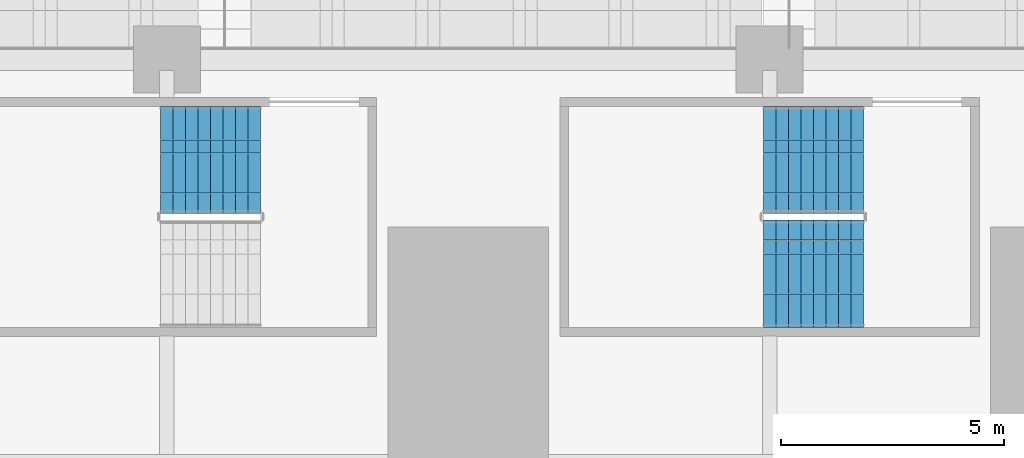
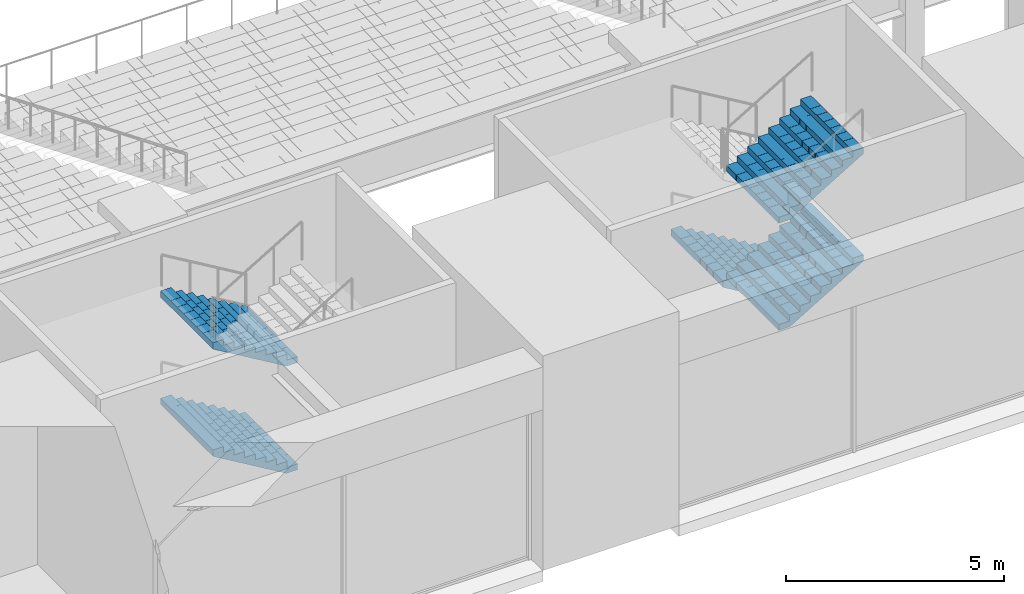
# One storey, part 37 of 61: 5 stair flights, 2 elements without a shape of their own.
"""IFC4 building model written with IfcOpenShell, lengths in metres."""

from ifc_helpers import new_model, si_unit, direction, frame, origin, place, context, subcontext, project, spatial, polyline, outline, extrude, material, type_object, element, aggregate, save


model = new_model("IFC4")

# Units and contexts
model_context = context("Model", 3, precision=1e-05, world=origin(), true_north=direction((0.0, 1.0)))
body_context = subcontext(model_context, "Body", "Model", "MODEL_VIEW")
ifc_project = project(units=[si_unit("LENGTHUNIT", "METRE"), si_unit("AREAUNIT", "SQUARE_METRE"), si_unit("VOLUMEUNIT", "CUBIC_METRE"), si_unit("PLANEANGLEUNIT", "RADIAN"), si_unit("MASSUNIT", "GRAM", prefix="KILO")], contexts=[model_context])

# Site, building, storey
site_placement = place(None, origin())
site = spatial("IfcSite", under=ifc_project, at=site_placement, CompositionType="ELEMENT")
building_placement = place(site_placement, origin())
building = spatial("IfcBuilding", under=site, at=building_placement, Name="Corbelhall Arena Tower", CompositionType="ELEMENT")
storey_placement = place(building_placement, frame((0.0, 0.0, 31.0)))
storey = spatial("IfcBuildingStorey", under=building, at=storey_placement, Name="L04", CompositionType="ELEMENT", Elevation=31.0)

# Stair, stair flights
ifc_material = material(Name="Reinforced concrete C40/50", Category="concrete")
stair_type = type_object("IfcStairType", Name="AR-EXIT-STAIR", PredefinedType="HALF_TURN_STAIR", material=ifc_material)
stair_1_placement = place(storey_placement, origin())
stair_1 = element("IfcStair", 1, at=stair_1_placement, inside=storey, type_object=stair_type, Name="L04 exit stair AS13", PredefinedType="HALF_TURN_STAIR")
stair_flight_type = type_object("IfcStairFlightType", Name="AR-EXIT-FLIGHT", PredefinedType="STRAIGHT", material=ifc_material)
stair_flight_1_placement = place(storey_placement, frame((-18.14990234375, -31.5, 0.0), z_axis=(0.0, 0.0, 1.0), x_axis=(-1.0, 0.0, 0.0)))
stair_flight_1 = element("IfcStairFlight", 2, at=stair_flight_1_placement, type_object=stair_flight_type, Name="AS13 flight 1", NumberOfRisers=9, NumberOfTreads=8, PredefinedType="STRAIGHT", RiserHeight=0.166666667, TreadLength=0.28, context=body_context, shape_type="SweptSolid", body=[
    extrude(outline(polyline([(0.0, 0.0), (0.0, 0.166748046875), (0.280029296875, 0.166748046875), (0.280029296875, 0.333251953125), (0.56005859375, 0.333251953125), (0.56005859375, 0.5), (0.840087890625, 0.5), (0.840087890625, 0.666748046875), (1.1201171875, 0.666748046875), (1.1201171875, 0.833251953125), (1.39990234375, 0.833251953125), (1.39990234375, 1.0), (1.679931640625, 1.0), (1.679931640625, 1.166748046875), (1.9599609375, 1.166748046875), (1.9599609375, 1.333251953125), (2.239990234375, 1.333251953125), (2.239990234375, 1.5), (2.239990234375, 1.158935546875), (0.29296875, 0.0), (0.0, 0.0)])), frame((0.0, 1.199951171875, 0.0), z_axis=(0.0, -1.0, 0.0), x_axis=(1.0, 0.0, 0.0)), (0.0, 0.0, 1.0), 0.449951171875),
    extrude(outline(polyline([(0.0, 0.0), (0.0, 0.166748046875), (0.280029296875, 0.166748046875), (0.280029296875, 0.333251953125), (0.56005859375, 0.333251953125), (0.56005859375, 0.5), (0.840087890625, 0.5), (0.840087890625, 0.666748046875), (1.1201171875, 0.666748046875), (1.1201171875, 0.833251953125), (1.39990234375, 0.833251953125), (1.39990234375, 1.0), (1.679931640625, 1.0), (1.679931640625, 1.166748046875), (1.9599609375, 1.166748046875), (1.9599609375, 1.333251953125), (2.239990234375, 1.333251953125), (2.239990234375, 1.5), (2.239990234375, 1.158935546875), (0.29296875, 0.0), (0.0, 0.0)])), frame((0.0, 0.745849609375, 0.0), z_axis=(0.0, -1.0, 0.0), x_axis=(1.0, 0.0, 0.0)), (0.0, 0.0, 1.0), 0.295166015625),
    extrude(outline(polyline([(0.0, 0.0), (0.0, 0.166748046875), (0.280029296875, 0.166748046875), (0.280029296875, 0.333251953125), (0.56005859375, 0.333251953125), (0.56005859375, 0.5), (0.840087890625, 0.5), (0.840087890625, 0.666748046875), (1.1201171875, 0.666748046875), (1.1201171875, 0.833251953125), (1.39990234375, 0.833251953125), (1.39990234375, 1.0), (1.679931640625, 1.0), (1.679931640625, 1.166748046875), (1.9599609375, 1.166748046875), (1.9599609375, 1.333251953125), (2.239990234375, 1.333251953125), (2.239990234375, 1.5), (2.239990234375, 1.158935546875), (0.29296875, 0.0), (0.0, 0.0)])), frame((0.0, 0.44677734375, 0.0), z_axis=(0.0, -1.0, 0.0), x_axis=(1.0, 0.0, 0.0)), (0.0, 0.0, 1.0), 0.295166015625),
    extrude(outline(polyline([(0.0, 0.0), (0.0, 0.166748046875), (0.280029296875, 0.166748046875), (0.280029296875, 0.333251953125), (0.56005859375, 0.333251953125), (0.56005859375, 0.5), (0.840087890625, 0.5), (0.840087890625, 0.666748046875), (1.1201171875, 0.666748046875), (1.1201171875, 0.833251953125), (1.39990234375, 0.833251953125), (1.39990234375, 1.0), (1.679931640625, 1.0), (1.679931640625, 1.166748046875), (1.9599609375, 1.166748046875), (1.9599609375, 1.333251953125), (2.239990234375, 1.333251953125), (2.239990234375, 1.5), (2.239990234375, 1.158935546875), (0.29296875, 0.0), (0.0, 0.0)])), frame((0.0, 0.147705078125, 0.0), z_axis=(0.0, -1.0, 0.0), x_axis=(1.0, 0.0, 0.0)), (0.0, 0.0, 1.0), 0.295166015625),
    extrude(outline(polyline([(0.0, 0.0), (0.0, 0.166748046875), (0.280029296875, 0.166748046875), (0.280029296875, 0.333251953125), (0.56005859375, 0.333251953125), (0.56005859375, 0.5), (0.840087890625, 0.5), (0.840087890625, 0.666748046875), (1.1201171875, 0.666748046875), (1.1201171875, 0.833251953125), (1.39990234375, 0.833251953125), (1.39990234375, 1.0), (1.679931640625, 1.0), (1.679931640625, 1.166748046875), (1.9599609375, 1.166748046875), (1.9599609375, 1.333251953125), (2.239990234375, 1.333251953125), (2.239990234375, 1.5), (2.239990234375, 1.158935546875), (0.29296875, 0.0), (0.0, 0.0)])), frame((0.0, -0.151611328125, 0.0), z_axis=(0.0, -1.0, 0.0), x_axis=(1.0, 0.0, 0.0)), (0.0, 0.0, 1.0), 0.295166015625),
    extrude(outline(polyline([(0.0, 0.0), (0.0, 0.166748046875), (0.280029296875, 0.166748046875), (0.280029296875, 0.333251953125), (0.56005859375, 0.333251953125), (0.56005859375, 0.5), (0.840087890625, 0.5), (0.840087890625, 0.666748046875), (1.1201171875, 0.666748046875), (1.1201171875, 0.833251953125), (1.39990234375, 0.833251953125), (1.39990234375, 1.0), (1.679931640625, 1.0), (1.679931640625, 1.166748046875), (1.9599609375, 1.166748046875), (1.9599609375, 1.333251953125), (2.239990234375, 1.333251953125), (2.239990234375, 1.5), (2.239990234375, 1.158935546875), (0.29296875, 0.0), (0.0, 0.0)])), frame((0.0, -0.45068359375, 0.0), z_axis=(0.0, -1.0, 0.0), x_axis=(1.0, 0.0, 0.0)), (0.0, 0.0, 1.0), 0.295166015625),
    extrude(outline(polyline([(0.0, 0.0), (0.0, 0.166748046875), (0.280029296875, 0.166748046875), (0.280029296875, 0.333251953125), (0.56005859375, 0.333251953125), (0.56005859375, 0.5), (0.840087890625, 0.5), (0.840087890625, 0.666748046875), (1.1201171875, 0.666748046875), (1.1201171875, 0.833251953125), (1.39990234375, 0.833251953125), (1.39990234375, 1.0), (1.679931640625, 1.0), (1.679931640625, 1.166748046875), (1.9599609375, 1.166748046875), (1.9599609375, 1.333251953125), (2.239990234375, 1.333251953125), (2.239990234375, 1.5), (2.239990234375, 1.158935546875), (0.29296875, 0.0), (0.0, 0.0)])), frame((0.0, -0.75, 0.0), z_axis=(0.0, -1.0, 0.0), x_axis=(1.0, 0.0, 0.0)), (0.0, 0.0, 1.0), 0.449951171875),
])
stair_flight_2_placement = place(storey_placement, frame((-18.14990234375, -31.5, 3.0), z_axis=(0.0, 0.0, 1.0), x_axis=(-1.0, 0.0, 0.0)))
stair_flight_2 = element("IfcStairFlight", 3, at=stair_flight_2_placement, type_object=stair_flight_type, Name="AS13 flight 3", NumberOfRisers=9, NumberOfTreads=8, PredefinedType="STRAIGHT", RiserHeight=0.166666667, TreadLength=0.28, context=body_context, shape_type="SweptSolid", body=[
    extrude(outline(polyline([(0.0, 0.0), (0.0, 0.166748046875), (0.280029296875, 0.166748046875), (0.280029296875, 0.333251953125), (0.56005859375, 0.333251953125), (0.56005859375, 0.5), (0.840087890625, 0.5), (0.840087890625, 0.666748046875), (1.1201171875, 0.666748046875), (1.1201171875, 0.833251953125), (1.39990234375, 0.833251953125), (1.39990234375, 1.0), (1.679931640625, 1.0), (1.679931640625, 1.166748046875), (1.9599609375, 1.166748046875), (1.9599609375, 1.333251953125), (2.239990234375, 1.333251953125), (2.239990234375, 1.5), (2.239990234375, 1.158935546875), (0.29296875, 0.0), (0.0, 0.0)])), frame((0.0, 1.199951171875, 0.0), z_axis=(0.0, -1.0, 0.0), x_axis=(1.0, 0.0, 0.0)), (0.0, 0.0, 1.0), 0.449951171875),
    extrude(outline(polyline([(0.0, 0.0), (0.0, 0.166748046875), (0.280029296875, 0.166748046875), (0.280029296875, 0.333251953125), (0.56005859375, 0.333251953125), (0.56005859375, 0.5), (0.840087890625, 0.5), (0.840087890625, 0.666748046875), (1.1201171875, 0.666748046875), (1.1201171875, 0.833251953125), (1.39990234375, 0.833251953125), (1.39990234375, 1.0), (1.679931640625, 1.0), (1.679931640625, 1.166748046875), (1.9599609375, 1.166748046875), (1.9599609375, 1.333251953125), (2.239990234375, 1.333251953125), (2.239990234375, 1.5), (2.239990234375, 1.158935546875), (0.29296875, 0.0), (0.0, 0.0)])), frame((0.0, 0.745849609375, 0.0), z_axis=(0.0, -1.0, 0.0), x_axis=(1.0, 0.0, 0.0)), (0.0, 0.0, 1.0), 0.295166015625),
    extrude(outline(polyline([(0.0, 0.0), (0.0, 0.166748046875), (0.280029296875, 0.166748046875), (0.280029296875, 0.333251953125), (0.56005859375, 0.333251953125), (0.56005859375, 0.5), (0.840087890625, 0.5), (0.840087890625, 0.666748046875), (1.1201171875, 0.666748046875), (1.1201171875, 0.833251953125), (1.39990234375, 0.833251953125), (1.39990234375, 1.0), (1.679931640625, 1.0), (1.679931640625, 1.166748046875), (1.9599609375, 1.166748046875), (1.9599609375, 1.333251953125), (2.239990234375, 1.333251953125), (2.239990234375, 1.5), (2.239990234375, 1.158935546875), (0.29296875, 0.0), (0.0, 0.0)])), frame((0.0, 0.44677734375, 0.0), z_axis=(0.0, -1.0, 0.0), x_axis=(1.0, 0.0, 0.0)), (0.0, 0.0, 1.0), 0.295166015625),
    extrude(outline(polyline([(0.0, 0.0), (0.0, 0.166748046875), (0.280029296875, 0.166748046875), (0.280029296875, 0.333251953125), (0.56005859375, 0.333251953125), (0.56005859375, 0.5), (0.840087890625, 0.5), (0.840087890625, 0.666748046875), (1.1201171875, 0.666748046875), (1.1201171875, 0.833251953125), (1.39990234375, 0.833251953125), (1.39990234375, 1.0), (1.679931640625, 1.0), (1.679931640625, 1.166748046875), (1.9599609375, 1.166748046875), (1.9599609375, 1.333251953125), (2.239990234375, 1.333251953125), (2.239990234375, 1.5), (2.239990234375, 1.158935546875), (0.29296875, 0.0), (0.0, 0.0)])), frame((0.0, 0.147705078125, 0.0), z_axis=(0.0, -1.0, 0.0), x_axis=(1.0, 0.0, 0.0)), (0.0, 0.0, 1.0), 0.295166015625),
    extrude(outline(polyline([(0.0, 0.0), (0.0, 0.166748046875), (0.280029296875, 0.166748046875), (0.280029296875, 0.333251953125), (0.56005859375, 0.333251953125), (0.56005859375, 0.5), (0.840087890625, 0.5), (0.840087890625, 0.666748046875), (1.1201171875, 0.666748046875), (1.1201171875, 0.833251953125), (1.39990234375, 0.833251953125), (1.39990234375, 1.0), (1.679931640625, 1.0), (1.679931640625, 1.166748046875), (1.9599609375, 1.166748046875), (1.9599609375, 1.333251953125), (2.239990234375, 1.333251953125), (2.239990234375, 1.5), (2.239990234375, 1.158935546875), (0.29296875, 0.0), (0.0, 0.0)])), frame((0.0, -0.151611328125, 0.0), z_axis=(0.0, -1.0, 0.0), x_axis=(1.0, 0.0, 0.0)), (0.0, 0.0, 1.0), 0.295166015625),
    extrude(outline(polyline([(0.0, 0.0), (0.0, 0.166748046875), (0.280029296875, 0.166748046875), (0.280029296875, 0.333251953125), (0.56005859375, 0.333251953125), (0.56005859375, 0.5), (0.840087890625, 0.5), (0.840087890625, 0.666748046875), (1.1201171875, 0.666748046875), (1.1201171875, 0.833251953125), (1.39990234375, 0.833251953125), (1.39990234375, 1.0), (1.679931640625, 1.0), (1.679931640625, 1.166748046875), (1.9599609375, 1.166748046875), (1.9599609375, 1.333251953125), (2.239990234375, 1.333251953125), (2.239990234375, 1.5), (2.239990234375, 1.158935546875), (0.29296875, 0.0), (0.0, 0.0)])), frame((0.0, -0.45068359375, 0.0), z_axis=(0.0, -1.0, 0.0), x_axis=(1.0, 0.0, 0.0)), (0.0, 0.0, 1.0), 0.295166015625),
    extrude(outline(polyline([(0.0, 0.0), (0.0, 0.166748046875), (0.280029296875, 0.166748046875), (0.280029296875, 0.333251953125), (0.56005859375, 0.333251953125), (0.56005859375, 0.5), (0.840087890625, 0.5), (0.840087890625, 0.666748046875), (1.1201171875, 0.666748046875), (1.1201171875, 0.833251953125), (1.39990234375, 0.833251953125), (1.39990234375, 1.0), (1.679931640625, 1.0), (1.679931640625, 1.166748046875), (1.9599609375, 1.166748046875), (1.9599609375, 1.333251953125), (2.239990234375, 1.333251953125), (2.239990234375, 1.5), (2.239990234375, 1.158935546875), (0.29296875, 0.0), (0.0, 0.0)])), frame((0.0, -0.75, 0.0), z_axis=(0.0, -1.0, 0.0), x_axis=(1.0, 0.0, 0.0)), (0.0, 0.0, 1.0), 0.449951171875),
])
aggregate(stair_1, [stair_flight_1, stair_flight_2])

stair_2_placement = place(storey_placement, origin())
stair_2 = element("IfcStair", 4, at=stair_2_placement, inside=storey, type_object=stair_type, Name="L04 exit stair AS14", PredefinedType="HALF_TURN_STAIR")
stair_flight_3_placement = place(storey_placement, frame((-4.64990234375, -31.5, 0.0), z_axis=(0.0, 0.0, 1.0), x_axis=(-1.0, 0.0, 0.0)))
stair_flight_3 = element("IfcStairFlight", 5, at=stair_flight_3_placement, type_object=stair_flight_type, Name="AS14 flight 1", NumberOfRisers=9, NumberOfTreads=8, PredefinedType="STRAIGHT", RiserHeight=0.166666667, TreadLength=0.28, context=body_context, shape_type="SweptSolid", body=[
    extrude(outline(polyline([(0.0, 0.0), (0.0, 0.166748046875), (0.280029296875, 0.166748046875), (0.280029296875, 0.333251953125), (0.56005859375, 0.333251953125), (0.56005859375, 0.5), (0.840087890625, 0.5), (0.840087890625, 0.666748046875), (1.1201171875, 0.666748046875), (1.1201171875, 0.833251953125), (1.39990234375, 0.833251953125), (1.39990234375, 1.0), (1.679931640625, 1.0), (1.679931640625, 1.166748046875), (1.9599609375, 1.166748046875), (1.9599609375, 1.333251953125), (2.239990234375, 1.333251953125), (2.239990234375, 1.5), (2.239990234375, 1.158935546875), (0.29296875, 0.0), (0.0, 0.0)])), frame((0.0, 1.199951171875, 0.0), z_axis=(0.0, -1.0, 0.0), x_axis=(1.0, 0.0, 0.0)), (0.0, 0.0, 1.0), 0.449951171875),
    extrude(outline(polyline([(0.0, 0.0), (0.0, 0.166748046875), (0.280029296875, 0.166748046875), (0.280029296875, 0.333251953125), (0.56005859375, 0.333251953125), (0.56005859375, 0.5), (0.840087890625, 0.5), (0.840087890625, 0.666748046875), (1.1201171875, 0.666748046875), (1.1201171875, 0.833251953125), (1.39990234375, 0.833251953125), (1.39990234375, 1.0), (1.679931640625, 1.0), (1.679931640625, 1.166748046875), (1.9599609375, 1.166748046875), (1.9599609375, 1.333251953125), (2.239990234375, 1.333251953125), (2.239990234375, 1.5), (2.239990234375, 1.158935546875), (0.29296875, 0.0), (0.0, 0.0)])), frame((0.0, 0.745849609375, 0.0), z_axis=(0.0, -1.0, 0.0), x_axis=(1.0, 0.0, 0.0)), (0.0, 0.0, 1.0), 0.295166015625),
    extrude(outline(polyline([(0.0, 0.0), (0.0, 0.166748046875), (0.280029296875, 0.166748046875), (0.280029296875, 0.333251953125), (0.56005859375, 0.333251953125), (0.56005859375, 0.5), (0.840087890625, 0.5), (0.840087890625, 0.666748046875), (1.1201171875, 0.666748046875), (1.1201171875, 0.833251953125), (1.39990234375, 0.833251953125), (1.39990234375, 1.0), (1.679931640625, 1.0), (1.679931640625, 1.166748046875), (1.9599609375, 1.166748046875), (1.9599609375, 1.333251953125), (2.239990234375, 1.333251953125), (2.239990234375, 1.5), (2.239990234375, 1.158935546875), (0.29296875, 0.0), (0.0, 0.0)])), frame((0.0, 0.44677734375, 0.0), z_axis=(0.0, -1.0, 0.0), x_axis=(1.0, 0.0, 0.0)), (0.0, 0.0, 1.0), 0.295166015625),
    extrude(outline(polyline([(0.0, 0.0), (0.0, 0.166748046875), (0.280029296875, 0.166748046875), (0.280029296875, 0.333251953125), (0.56005859375, 0.333251953125), (0.56005859375, 0.5), (0.840087890625, 0.5), (0.840087890625, 0.666748046875), (1.1201171875, 0.666748046875), (1.1201171875, 0.833251953125), (1.39990234375, 0.833251953125), (1.39990234375, 1.0), (1.679931640625, 1.0), (1.679931640625, 1.166748046875), (1.9599609375, 1.166748046875), (1.9599609375, 1.333251953125), (2.239990234375, 1.333251953125), (2.239990234375, 1.5), (2.239990234375, 1.158935546875), (0.29296875, 0.0), (0.0, 0.0)])), frame((0.0, 0.147705078125, 0.0), z_axis=(0.0, -1.0, 0.0), x_axis=(1.0, 0.0, 0.0)), (0.0, 0.0, 1.0), 0.295166015625),
    extrude(outline(polyline([(0.0, 0.0), (0.0, 0.166748046875), (0.280029296875, 0.166748046875), (0.280029296875, 0.333251953125), (0.56005859375, 0.333251953125), (0.56005859375, 0.5), (0.840087890625, 0.5), (0.840087890625, 0.666748046875), (1.1201171875, 0.666748046875), (1.1201171875, 0.833251953125), (1.39990234375, 0.833251953125), (1.39990234375, 1.0), (1.679931640625, 1.0), (1.679931640625, 1.166748046875), (1.9599609375, 1.166748046875), (1.9599609375, 1.333251953125), (2.239990234375, 1.333251953125), (2.239990234375, 1.5), (2.239990234375, 1.158935546875), (0.29296875, 0.0), (0.0, 0.0)])), frame((0.0, -0.151611328125, 0.0), z_axis=(0.0, -1.0, 0.0), x_axis=(1.0, 0.0, 0.0)), (0.0, 0.0, 1.0), 0.295166015625),
    extrude(outline(polyline([(0.0, 0.0), (0.0, 0.166748046875), (0.280029296875, 0.166748046875), (0.280029296875, 0.333251953125), (0.56005859375, 0.333251953125), (0.56005859375, 0.5), (0.840087890625, 0.5), (0.840087890625, 0.666748046875), (1.1201171875, 0.666748046875), (1.1201171875, 0.833251953125), (1.39990234375, 0.833251953125), (1.39990234375, 1.0), (1.679931640625, 1.0), (1.679931640625, 1.166748046875), (1.9599609375, 1.166748046875), (1.9599609375, 1.333251953125), (2.239990234375, 1.333251953125), (2.239990234375, 1.5), (2.239990234375, 1.158935546875), (0.29296875, 0.0), (0.0, 0.0)])), frame((0.0, -0.45068359375, 0.0), z_axis=(0.0, -1.0, 0.0), x_axis=(1.0, 0.0, 0.0)), (0.0, 0.0, 1.0), 0.295166015625),
    extrude(outline(polyline([(0.0, 0.0), (0.0, 0.166748046875), (0.280029296875, 0.166748046875), (0.280029296875, 0.333251953125), (0.56005859375, 0.333251953125), (0.56005859375, 0.5), (0.840087890625, 0.5), (0.840087890625, 0.666748046875), (1.1201171875, 0.666748046875), (1.1201171875, 0.833251953125), (1.39990234375, 0.833251953125), (1.39990234375, 1.0), (1.679931640625, 1.0), (1.679931640625, 1.166748046875), (1.9599609375, 1.166748046875), (1.9599609375, 1.333251953125), (2.239990234375, 1.333251953125), (2.239990234375, 1.5), (2.239990234375, 1.158935546875), (0.29296875, 0.0), (0.0, 0.0)])), frame((0.0, -0.75, 0.0), z_axis=(0.0, -1.0, 0.0), x_axis=(1.0, 0.0, 0.0)), (0.0, 0.0, 1.0), 0.449951171875),
])
stair_flight_4_placement = place(storey_placement, frame((-6.889892578125, -34.050048828125, 1.5), z_axis=(0.0, 0.0, 1.0), x_axis=(1.0, 0.0, 0.0)))
stair_flight_4 = element("IfcStairFlight", 6, at=stair_flight_4_placement, type_object=stair_flight_type, Name="AS14 flight 2", NumberOfRisers=9, NumberOfTreads=8, PredefinedType="STRAIGHT", RiserHeight=0.166666667, TreadLength=0.28, context=body_context, shape_type="SweptSolid", body=[
    extrude(outline(polyline([(0.0, 0.0), (0.0, 0.166748046875), (0.280029296875, 0.166748046875), (0.280029296875, 0.333251953125), (0.56005859375, 0.333251953125), (0.56005859375, 0.5), (0.840087890625, 0.5), (0.840087890625, 0.666748046875), (1.1201171875, 0.666748046875), (1.1201171875, 0.833251953125), (1.39990234375, 0.833251953125), (1.39990234375, 1.0), (1.679931640625, 1.0), (1.679931640625, 1.166748046875), (1.9599609375, 1.166748046875), (1.9599609375, 1.333251953125), (2.239990234375, 1.333251953125), (2.239990234375, 1.5), (2.239990234375, 1.158935546875), (0.29296875, 0.0), (0.0, 0.0)])), frame((0.0, 1.199951171875, 0.0), z_axis=(0.0, -1.0, 0.0), x_axis=(1.0, 0.0, 0.0)), (0.0, 0.0, 1.0), 0.449951171875),
    extrude(outline(polyline([(0.0, 0.0), (0.0, 0.166748046875), (0.280029296875, 0.166748046875), (0.280029296875, 0.333251953125), (0.56005859375, 0.333251953125), (0.56005859375, 0.5), (0.840087890625, 0.5), (0.840087890625, 0.666748046875), (1.1201171875, 0.666748046875), (1.1201171875, 0.833251953125), (1.39990234375, 0.833251953125), (1.39990234375, 1.0), (1.679931640625, 1.0), (1.679931640625, 1.166748046875), (1.9599609375, 1.166748046875), (1.9599609375, 1.333251953125), (2.239990234375, 1.333251953125), (2.239990234375, 1.5), (2.239990234375, 1.158935546875), (0.29296875, 0.0), (0.0, 0.0)])), frame((0.0, 0.745849609375, 0.0), z_axis=(0.0, -1.0, 0.0), x_axis=(1.0, 0.0, 0.0)), (0.0, 0.0, 1.0), 0.295166015625),
    extrude(outline(polyline([(0.0, 0.0), (0.0, 0.166748046875), (0.280029296875, 0.166748046875), (0.280029296875, 0.333251953125), (0.56005859375, 0.333251953125), (0.56005859375, 0.5), (0.840087890625, 0.5), (0.840087890625, 0.666748046875), (1.1201171875, 0.666748046875), (1.1201171875, 0.833251953125), (1.39990234375, 0.833251953125), (1.39990234375, 1.0), (1.679931640625, 1.0), (1.679931640625, 1.166748046875), (1.9599609375, 1.166748046875), (1.9599609375, 1.333251953125), (2.239990234375, 1.333251953125), (2.239990234375, 1.5), (2.239990234375, 1.158935546875), (0.29296875, 0.0), (0.0, 0.0)])), frame((0.0, 0.44677734375, 0.0), z_axis=(0.0, -1.0, 0.0), x_axis=(1.0, 0.0, 0.0)), (0.0, 0.0, 1.0), 0.295166015625),
    extrude(outline(polyline([(0.0, 0.0), (0.0, 0.166748046875), (0.280029296875, 0.166748046875), (0.280029296875, 0.333251953125), (0.56005859375, 0.333251953125), (0.56005859375, 0.5), (0.840087890625, 0.5), (0.840087890625, 0.666748046875), (1.1201171875, 0.666748046875), (1.1201171875, 0.833251953125), (1.39990234375, 0.833251953125), (1.39990234375, 1.0), (1.679931640625, 1.0), (1.679931640625, 1.166748046875), (1.9599609375, 1.166748046875), (1.9599609375, 1.333251953125), (2.239990234375, 1.333251953125), (2.239990234375, 1.5), (2.239990234375, 1.158935546875), (0.29296875, 0.0), (0.0, 0.0)])), frame((0.0, 0.147705078125, 0.0), z_axis=(0.0, -1.0, 0.0), x_axis=(1.0, 0.0, 0.0)), (0.0, 0.0, 1.0), 0.295166015625),
    extrude(outline(polyline([(0.0, 0.0), (0.0, 0.166748046875), (0.280029296875, 0.166748046875), (0.280029296875, 0.333251953125), (0.56005859375, 0.333251953125), (0.56005859375, 0.5), (0.840087890625, 0.5), (0.840087890625, 0.666748046875), (1.1201171875, 0.666748046875), (1.1201171875, 0.833251953125), (1.39990234375, 0.833251953125), (1.39990234375, 1.0), (1.679931640625, 1.0), (1.679931640625, 1.166748046875), (1.9599609375, 1.166748046875), (1.9599609375, 1.333251953125), (2.239990234375, 1.333251953125), (2.239990234375, 1.5), (2.239990234375, 1.158935546875), (0.29296875, 0.0), (0.0, 0.0)])), frame((0.0, -0.151611328125, 0.0), z_axis=(0.0, -1.0, 0.0), x_axis=(1.0, 0.0, 0.0)), (0.0, 0.0, 1.0), 0.295166015625),
    extrude(outline(polyline([(0.0, 0.0), (0.0, 0.166748046875), (0.280029296875, 0.166748046875), (0.280029296875, 0.333251953125), (0.56005859375, 0.333251953125), (0.56005859375, 0.5), (0.840087890625, 0.5), (0.840087890625, 0.666748046875), (1.1201171875, 0.666748046875), (1.1201171875, 0.833251953125), (1.39990234375, 0.833251953125), (1.39990234375, 1.0), (1.679931640625, 1.0), (1.679931640625, 1.166748046875), (1.9599609375, 1.166748046875), (1.9599609375, 1.333251953125), (2.239990234375, 1.333251953125), (2.239990234375, 1.5), (2.239990234375, 1.158935546875), (0.29296875, 0.0), (0.0, 0.0)])), frame((0.0, -0.45068359375, 0.0), z_axis=(0.0, -1.0, 0.0), x_axis=(1.0, 0.0, 0.0)), (0.0, 0.0, 1.0), 0.295166015625),
    extrude(outline(polyline([(0.0, 0.0), (0.0, 0.166748046875), (0.280029296875, 0.166748046875), (0.280029296875, 0.333251953125), (0.56005859375, 0.333251953125), (0.56005859375, 0.5), (0.840087890625, 0.5), (0.840087890625, 0.666748046875), (1.1201171875, 0.666748046875), (1.1201171875, 0.833251953125), (1.39990234375, 0.833251953125), (1.39990234375, 1.0), (1.679931640625, 1.0), (1.679931640625, 1.166748046875), (1.9599609375, 1.166748046875), (1.9599609375, 1.333251953125), (2.239990234375, 1.333251953125), (2.239990234375, 1.5), (2.239990234375, 1.158935546875), (0.29296875, 0.0), (0.0, 0.0)])), frame((0.0, -0.75, 0.0), z_axis=(0.0, -1.0, 0.0), x_axis=(1.0, 0.0, 0.0)), (0.0, 0.0, 1.0), 0.449951171875),
])
stair_flight_5_placement = place(storey_placement, frame((-6.889892578125, -34.050048828125, 4.5), z_axis=(0.0, 0.0, 1.0), x_axis=(1.0, 0.0, 0.0)))
stair_flight_5 = element("IfcStairFlight", 7, at=stair_flight_5_placement, type_object=stair_flight_type, Name="AS14 flight 4", NumberOfRisers=9, NumberOfTreads=8, PredefinedType="STRAIGHT", RiserHeight=0.166666667, TreadLength=0.28, context=body_context, shape_type="SweptSolid", body=[
    extrude(outline(polyline([(0.0, 0.0), (0.0, 0.166748046875), (0.280029296875, 0.166748046875), (0.280029296875, 0.333251953125), (0.56005859375, 0.333251953125), (0.56005859375, 0.5), (0.840087890625, 0.5), (0.840087890625, 0.666748046875), (1.1201171875, 0.666748046875), (1.1201171875, 0.833251953125), (1.39990234375, 0.833251953125), (1.39990234375, 1.0), (1.679931640625, 1.0), (1.679931640625, 1.166748046875), (1.9599609375, 1.166748046875), (1.9599609375, 1.333251953125), (2.239990234375, 1.333251953125), (2.239990234375, 1.5), (2.239990234375, 1.158935546875), (0.29296875, 0.0), (0.0, 0.0)])), frame((0.0, 1.199951171875, 0.0), z_axis=(0.0, -1.0, 0.0), x_axis=(1.0, 0.0, 0.0)), (0.0, 0.0, 1.0), 0.449951171875),
    extrude(outline(polyline([(0.0, 0.0), (0.0, 0.166748046875), (0.280029296875, 0.166748046875), (0.280029296875, 0.333251953125), (0.56005859375, 0.333251953125), (0.56005859375, 0.5), (0.840087890625, 0.5), (0.840087890625, 0.666748046875), (1.1201171875, 0.666748046875), (1.1201171875, 0.833251953125), (1.39990234375, 0.833251953125), (1.39990234375, 1.0), (1.679931640625, 1.0), (1.679931640625, 1.166748046875), (1.9599609375, 1.166748046875), (1.9599609375, 1.333251953125), (2.239990234375, 1.333251953125), (2.239990234375, 1.5), (2.239990234375, 1.158935546875), (0.29296875, 0.0), (0.0, 0.0)])), frame((0.0, 0.745849609375, 0.0), z_axis=(0.0, -1.0, 0.0), x_axis=(1.0, 0.0, 0.0)), (0.0, 0.0, 1.0), 0.295166015625),
    extrude(outline(polyline([(0.0, 0.0), (0.0, 0.166748046875), (0.280029296875, 0.166748046875), (0.280029296875, 0.333251953125), (0.56005859375, 0.333251953125), (0.56005859375, 0.5), (0.840087890625, 0.5), (0.840087890625, 0.666748046875), (1.1201171875, 0.666748046875), (1.1201171875, 0.833251953125), (1.39990234375, 0.833251953125), (1.39990234375, 1.0), (1.679931640625, 1.0), (1.679931640625, 1.166748046875), (1.9599609375, 1.166748046875), (1.9599609375, 1.333251953125), (2.239990234375, 1.333251953125), (2.239990234375, 1.5), (2.239990234375, 1.158935546875), (0.29296875, 0.0), (0.0, 0.0)])), frame((0.0, 0.44677734375, 0.0), z_axis=(0.0, -1.0, 0.0), x_axis=(1.0, 0.0, 0.0)), (0.0, 0.0, 1.0), 0.295166015625),
    extrude(outline(polyline([(0.0, 0.0), (0.0, 0.166748046875), (0.280029296875, 0.166748046875), (0.280029296875, 0.333251953125), (0.56005859375, 0.333251953125), (0.56005859375, 0.5), (0.840087890625, 0.5), (0.840087890625, 0.666748046875), (1.1201171875, 0.666748046875), (1.1201171875, 0.833251953125), (1.39990234375, 0.833251953125), (1.39990234375, 1.0), (1.679931640625, 1.0), (1.679931640625, 1.166748046875), (1.9599609375, 1.166748046875), (1.9599609375, 1.333251953125), (2.239990234375, 1.333251953125), (2.239990234375, 1.5), (2.239990234375, 1.158935546875), (0.29296875, 0.0), (0.0, 0.0)])), frame((0.0, 0.147705078125, 0.0), z_axis=(0.0, -1.0, 0.0), x_axis=(1.0, 0.0, 0.0)), (0.0, 0.0, 1.0), 0.295166015625),
    extrude(outline(polyline([(0.0, 0.0), (0.0, 0.166748046875), (0.280029296875, 0.166748046875), (0.280029296875, 0.333251953125), (0.56005859375, 0.333251953125), (0.56005859375, 0.5), (0.840087890625, 0.5), (0.840087890625, 0.666748046875), (1.1201171875, 0.666748046875), (1.1201171875, 0.833251953125), (1.39990234375, 0.833251953125), (1.39990234375, 1.0), (1.679931640625, 1.0), (1.679931640625, 1.166748046875), (1.9599609375, 1.166748046875), (1.9599609375, 1.333251953125), (2.239990234375, 1.333251953125), (2.239990234375, 1.5), (2.239990234375, 1.158935546875), (0.29296875, 0.0), (0.0, 0.0)])), frame((0.0, -0.151611328125, 0.0), z_axis=(0.0, -1.0, 0.0), x_axis=(1.0, 0.0, 0.0)), (0.0, 0.0, 1.0), 0.295166015625),
    extrude(outline(polyline([(0.0, 0.0), (0.0, 0.166748046875), (0.280029296875, 0.166748046875), (0.280029296875, 0.333251953125), (0.56005859375, 0.333251953125), (0.56005859375, 0.5), (0.840087890625, 0.5), (0.840087890625, 0.666748046875), (1.1201171875, 0.666748046875), (1.1201171875, 0.833251953125), (1.39990234375, 0.833251953125), (1.39990234375, 1.0), (1.679931640625, 1.0), (1.679931640625, 1.166748046875), (1.9599609375, 1.166748046875), (1.9599609375, 1.333251953125), (2.239990234375, 1.333251953125), (2.239990234375, 1.5), (2.239990234375, 1.158935546875), (0.29296875, 0.0), (0.0, 0.0)])), frame((0.0, -0.45068359375, 0.0), z_axis=(0.0, -1.0, 0.0), x_axis=(1.0, 0.0, 0.0)), (0.0, 0.0, 1.0), 0.295166015625),
    extrude(outline(polyline([(0.0, 0.0), (0.0, 0.166748046875), (0.280029296875, 0.166748046875), (0.280029296875, 0.333251953125), (0.56005859375, 0.333251953125), (0.56005859375, 0.5), (0.840087890625, 0.5), (0.840087890625, 0.666748046875), (1.1201171875, 0.666748046875), (1.1201171875, 0.833251953125), (1.39990234375, 0.833251953125), (1.39990234375, 1.0), (1.679931640625, 1.0), (1.679931640625, 1.166748046875), (1.9599609375, 1.166748046875), (1.9599609375, 1.333251953125), (2.239990234375, 1.333251953125), (2.239990234375, 1.5), (2.239990234375, 1.158935546875), (0.29296875, 0.0), (0.0, 0.0)])), frame((0.0, -0.75, 0.0), z_axis=(0.0, -1.0, 0.0), x_axis=(1.0, 0.0, 0.0)), (0.0, 0.0, 1.0), 0.449951171875),
])
aggregate(stair_2, [stair_flight_3, stair_flight_4, stair_flight_5])

save(model, "model.ifc")
